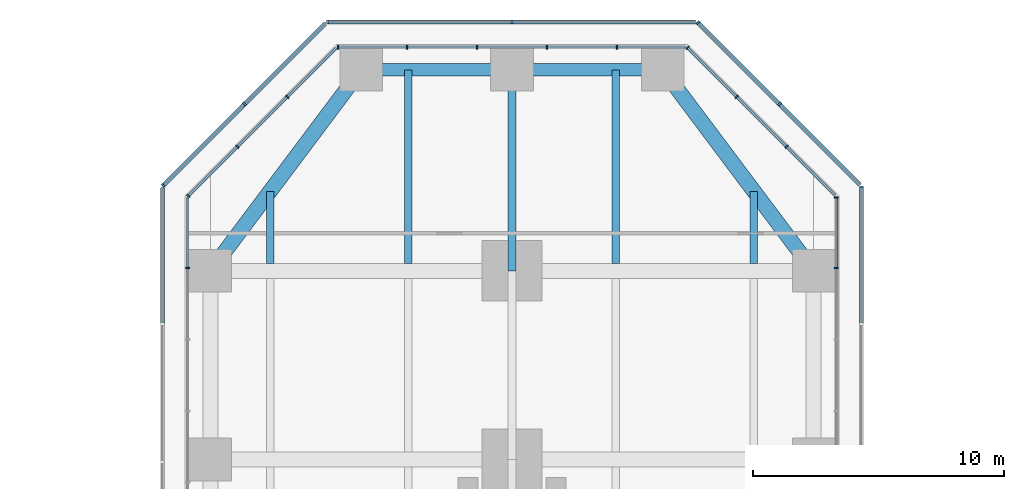
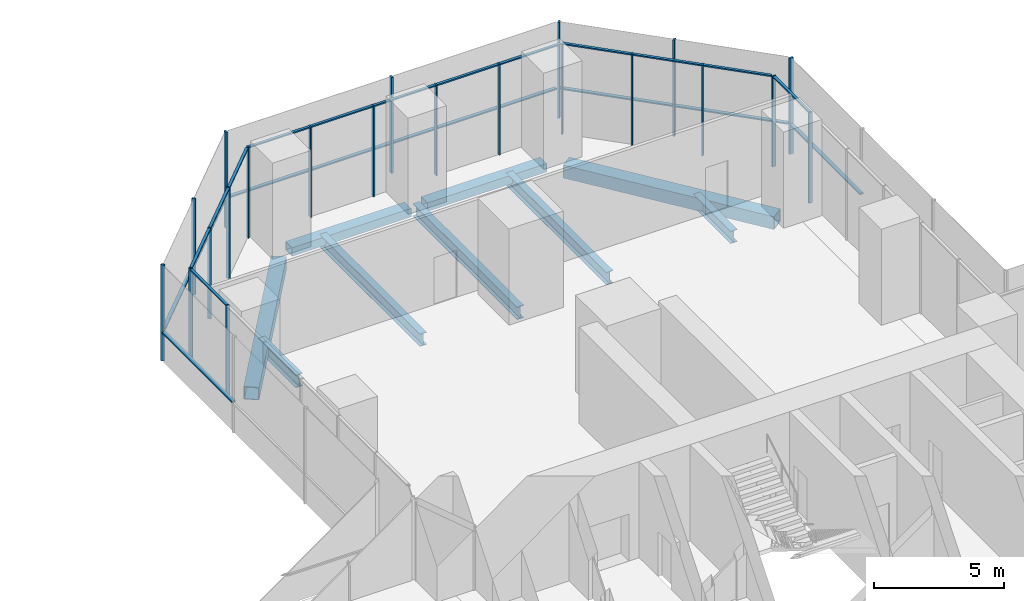
# One storey, part 12 of 21: 42 members, 9 beams, 10 elements without a shape of their own.
"""IFC4 building model written with IfcOpenShell, lengths in metres."""

from ifc_helpers import new_model, si_unit, direction, frame, origin, origin_2d, place, context, subcontext, project, spatial, rectangle, hollow_rectangle, i_section, extrude, material, material_profile, profile_set, type_object, element, aggregate, save


model = new_model("IFC4")

# Units and contexts
model_context = context("Model", 3, precision=1e-05, world=origin(), true_north=direction((0.0, 1.0)))
body_context = subcontext(model_context, "Body", "Model", "MODEL_VIEW")
ifc_project = project(units=[si_unit("LENGTHUNIT", "METRE"), si_unit("AREAUNIT", "SQUARE_METRE"), si_unit("VOLUMEUNIT", "CUBIC_METRE"), si_unit("PLANEANGLEUNIT", "RADIAN"), si_unit("MASSUNIT", "GRAM", prefix="KILO")], contexts=[model_context])

# Site, building, storey
site_placement = place(None, origin())
site = spatial("IfcSite", under=ifc_project, at=site_placement, CompositionType="ELEMENT")
building_placement = place(site_placement, origin())
building = spatial("IfcBuilding", under=site, at=building_placement, Name="Mizan Broadcast Tower", CompositionType="ELEMENT")
storey_placement = place(building_placement, frame((0.0, 0.0, 33.0)))
storey = spatial("IfcBuildingStorey", under=building, at=storey_placement, Name="L05", CompositionType="ELEMENT", Elevation=33.0)

# Beams
ifc_material_1 = material(Name="Steel S355", Category="steel")
ifc_material_profile_1 = material_profile(ifc_material_1, hollow_rectangle(XDim=0.5, YDim=0.39990234375, WallThickness=0.02490234375, at=origin_2d()), Name="BOX 400x500x25")
ifc_profile_set_1 = profile_set([ifc_material_profile_1], Name="Steel S355")
beam_type_1 = type_object("IfcBeamType", Name="EDGE BEAM BOX 400x500x25", PredefinedType="SPANDREL", material=ifc_profile_set_1)
for number, where, z_axis, x_axis, name in (
    (1, (5.639892578125, 35.0, -0.449951171875), (-1.0, 0.0, 0.0), (0.0, -1.0, 0.0), "Edge beam BOX 400x500x25 L05 north arm"),
    (2, (-5.639892578125, 35.0, -0.449951171875), (1.0, 0.0, 0.0), (0.0, 1.0, 0.0), "Edge beam BOX 400x500x25 L05 north arm"),
):
    element("IfcBeam", number, at=place(storey_placement, frame(where, z_axis=z_axis, x_axis=x_axis)), inside=storey, type_object=beam_type_1, Name=name, PredefinedType="SPANDREL", context=body_context, shape_type="SweptSolid", body=[
        extrude(hollow_rectangle(XDim=0.5, YDim=0.39990234375, WallThickness=0.02490234375, at=origin_2d()), origin(), (0.0, 0.0, 1.0), 5.27978515625),
    ])
ifc_material_2 = material(Name="Steel S355", Category="steel")
ifc_material_profile_2 = material_profile(ifc_material_2, hollow_rectangle(XDim=0.60009765625, YDim=0.60009765625, WallThickness=0.030029296875, at=origin_2d()), Name="BOX 600x600x30")
ifc_profile_set_2 = profile_set([ifc_material_profile_2], Name="Steel S355")
beam_type_2 = type_object("IfcBeamType", Name="EDGE BEAM BOX 600x600x30", PredefinedType="SPANDREL", material=ifc_profile_set_2)
for number, where, z_axis, x_axis, name in (
    (3, (11.639892578125, 27.47998046875, -0.550048828125), (-0.599982243973, 0.800013316712, 0.0), (-0.800013316712, -0.599982243973, 0.0), "Edge beam BOX 600x600x30 L05 north arm"),
    (4, (-11.639892578125, 27.47998046875, -0.550048828125), (0.599982243973, 0.800013316712, 0.0), (-0.800013316712, 0.599982243973, 0.0), "Edge beam BOX 600x600x30 L05 north arm"),
):
    element("IfcBeam", number, at=place(storey_placement, frame(where, z_axis=z_axis, x_axis=x_axis)), inside=storey, type_object=beam_type_2, Name=name, PredefinedType="SPANDREL", context=body_context, shape_type="SweptSolid", body=[
        extrude(hollow_rectangle(XDim=0.60009765625, YDim=0.60009765625, WallThickness=0.030029296875, at=origin_2d()), origin(), (0.0, 0.0, 1.0), 8.7998046875),
    ])

# Curtain wall, members
ifc_material_3 = material(Name="Aluminium framed glazing", Category="aluminium")
curtain_wall_type_1 = type_object("IfcCurtainWallType", Name="PODIUM CURTAIN WALL", PredefinedType="USERDEFINED", material=ifc_material_3)
curtain_wall_1_placement = place(storey_placement, origin())
curtain_wall_1 = element("IfcCurtainWall", 5, at=curtain_wall_1_placement, inside=storey, type_object=curtain_wall_type_1, Name="Podium curtain wall L05 N side", ObjectType="PODIUM CURTAIN WALL", PredefinedType="USERDEFINED")
ifc_material_4 = material(Name="Aluminium, pale anodised", Category="aluminium")
ifc_material_profile_3 = material_profile(ifc_material_4, rectangle(XDim=0.159912109375, YDim=0.06005859375, at=origin_2d()), Name="MULLION 160x60")
ifc_profile_set_3 = profile_set([ifc_material_profile_3], Name="Aluminium, pale anodised")
member_type_1 = type_object("IfcMemberType", Name="INNER SKIN MULLION 60x160", PredefinedType="MULLION", material=ifc_profile_set_3)
member_1_placement = place(storey_placement, frame((12.89990234375, 27.115478515625, 0.0), z_axis=(0.0, 0.0, 1.0), x_axis=(-1.0, 0.0, 0.0)))
member_1 = element("IfcMember", 6, at=member_1_placement, type_object=member_type_1, Name="Podium curtain wall L05 N side mullion 6", PredefinedType="MULLION", context=body_context, shape_type="SweptSolid", body=[
    extrude(rectangle(XDim=0.159912109375, YDim=0.06005859375, at=origin_2d()), origin(), (0.0, 0.0, 1.0), 4.25),
])
member_2_placement = place(storey_placement, frame((12.89990234375, 29.928466796875, 0.0), z_axis=(0.0, 0.0, 1.0), x_axis=(-1.0, 0.0, 0.0)))
member_2 = element("IfcMember", 7, at=member_2_placement, type_object=member_type_1, Name="Podium curtain wall L05 N side mullion 7", PredefinedType="MULLION", context=body_context, shape_type="SweptSolid", body=[
    extrude(rectangle(XDim=0.159912109375, YDim=0.06005859375, at=origin_2d()), origin(), (0.0, 0.0, 1.0), 4.25),
])

curtain_wall_2_placement = place(storey_placement, origin())
curtain_wall_2 = element("IfcCurtainWall", 8, at=curtain_wall_2_placement, inside=storey, type_object=curtain_wall_type_1, Name="Podium curtain wall L05 N chamfer", ObjectType="PODIUM CURTAIN WALL", PredefinedType="USERDEFINED")
member_3_placement = place(storey_placement, frame((10.91943359375, 31.93896484375, 0.0), z_axis=(0.0, 0.0, 1.0), x_axis=(-0.707106781187, -0.707106781187, 0.0)))
member_3 = element("IfcMember", 9, at=member_3_placement, type_object=member_type_1, Name="Podium curtain wall L05 N chamfer mullion 2", PredefinedType="MULLION", context=body_context, shape_type="SweptSolid", body=[
    extrude(rectangle(XDim=0.159912109375, YDim=0.06005859375, at=origin_2d()), origin(), (0.0, 0.0, 1.0), 4.25),
])
member_4_placement = place(storey_placement, frame((8.93896484375, 33.91943359375, 0.0), z_axis=(0.0, 0.0, 1.0), x_axis=(-0.707106781187, -0.707106781187, 0.0)))
member_4 = element("IfcMember", 10, at=member_4_placement, type_object=member_type_1, Name="Podium curtain wall L05 N chamfer mullion 3", PredefinedType="MULLION", context=body_context, shape_type="SweptSolid", body=[
    extrude(rectangle(XDim=0.159912109375, YDim=0.06005859375, at=origin_2d()), origin(), (0.0, 0.0, 1.0), 4.25),
])
member_5_placement = place(storey_placement, frame((6.979736328125, 35.87890625, 0.0), z_axis=(0.0, 0.0, 1.0), x_axis=(-0.707106781187, -0.707106781187, 0.0)))
member_5 = element("IfcMember", 11, at=member_5_placement, type_object=member_type_1, Name="Podium curtain wall L05 N chamfer mullion 4", PredefinedType="MULLION", context=body_context, shape_type="SweptSolid", body=[
    extrude(rectangle(XDim=0.159912109375, YDim=0.06005859375, at=origin_2d()), origin(), (0.0, 0.0, 1.0), 4.25),
])

curtain_wall_3_placement = place(storey_placement, origin())
curtain_wall_3 = element("IfcCurtainWall", 12, at=curtain_wall_3_placement, inside=storey, type_object=curtain_wall_type_1, Name="Podium curtain wall L05 N end", ObjectType="PODIUM CURTAIN WALL", PredefinedType="USERDEFINED")
member_6_placement = place(storey_placement, frame((4.175048828125, 35.89990234375, 0.0), z_axis=(0.0, 0.0, 1.0), x_axis=(0.0, -1.0, 0.0)))
member_6 = element("IfcMember", 13, at=member_6_placement, type_object=member_type_1, Name="Podium curtain wall L05 N end mullion 2", PredefinedType="MULLION", context=body_context, shape_type="SweptSolid", body=[
    extrude(rectangle(XDim=0.159912109375, YDim=0.06005859375, at=origin_2d()), origin(), (0.0, 0.0, 1.0), 4.25),
])
member_7_placement = place(storey_placement, frame((1.3916015625, 35.89990234375, 0.0), z_axis=(0.0, 0.0, 1.0), x_axis=(0.0, -1.0, 0.0)))
member_7 = element("IfcMember", 14, at=member_7_placement, type_object=member_type_1, Name="Podium curtain wall L05 N end mullion 3", PredefinedType="MULLION", context=body_context, shape_type="SweptSolid", body=[
    extrude(rectangle(XDim=0.159912109375, YDim=0.06005859375, at=origin_2d()), origin(), (0.0, 0.0, 1.0), 4.25),
])
member_8_placement = place(storey_placement, frame((-1.3916015625, 35.89990234375, 0.0), z_axis=(0.0, 0.0, 1.0), x_axis=(0.0, -1.0, 0.0)))
member_8 = element("IfcMember", 15, at=member_8_placement, type_object=member_type_1, Name="Podium curtain wall L05 N end mullion 4", PredefinedType="MULLION", context=body_context, shape_type="SweptSolid", body=[
    extrude(rectangle(XDim=0.159912109375, YDim=0.06005859375, at=origin_2d()), origin(), (0.0, 0.0, 1.0), 4.25),
])
member_9_placement = place(storey_placement, frame((-4.175048828125, 35.89990234375, 0.0), z_axis=(0.0, 0.0, 1.0), x_axis=(0.0, -1.0, 0.0)))
member_9 = element("IfcMember", 16, at=member_9_placement, type_object=member_type_1, Name="Podium curtain wall L05 N end mullion 5", PredefinedType="MULLION", context=body_context, shape_type="SweptSolid", body=[
    extrude(rectangle(XDim=0.159912109375, YDim=0.06005859375, at=origin_2d()), origin(), (0.0, 0.0, 1.0), 4.25),
])
member_10_placement = place(storey_placement, frame((-6.928466796875, 35.89990234375, 0.0), z_axis=(0.0, 0.0, 1.0), x_axis=(0.0, -1.0, 0.0)))
member_10 = element("IfcMember", 17, at=member_10_placement, type_object=member_type_1, Name="Podium curtain wall L05 N end mullion 6", PredefinedType="MULLION", context=body_context, shape_type="SweptSolid", body=[
    extrude(rectangle(XDim=0.159912109375, YDim=0.06005859375, at=origin_2d()), origin(), (0.0, 0.0, 1.0), 4.25),
])

curtain_wall_4_placement = place(storey_placement, origin())
curtain_wall_4 = element("IfcCurtainWall", 18, at=curtain_wall_4_placement, inside=storey, type_object=curtain_wall_type_1, Name="Podium curtain wall L05 N chamfer", ObjectType="PODIUM CURTAIN WALL", PredefinedType="USERDEFINED")
member_11_placement = place(storey_placement, frame((-8.93896484375, 33.91943359375, 0.0), z_axis=(0.0, 0.0, 1.0), x_axis=(0.707106781187, -0.707106781187, 0.0)))
member_11 = element("IfcMember", 19, at=member_11_placement, type_object=member_type_1, Name="Podium curtain wall L05 N chamfer mullion 2", PredefinedType="MULLION", context=body_context, shape_type="SweptSolid", body=[
    extrude(rectangle(XDim=0.159912109375, YDim=0.06005859375, at=origin_2d()), origin(), (0.0, 0.0, 1.0), 4.25),
])
member_12_placement = place(storey_placement, frame((-10.91943359375, 31.93896484375, 0.0), z_axis=(0.0, 0.0, 1.0), x_axis=(0.707106781187, -0.707106781187, 0.0)))
member_12 = element("IfcMember", 20, at=member_12_placement, type_object=member_type_1, Name="Podium curtain wall L05 N chamfer mullion 3", PredefinedType="MULLION", context=body_context, shape_type="SweptSolid", body=[
    extrude(rectangle(XDim=0.159912109375, YDim=0.06005859375, at=origin_2d()), origin(), (0.0, 0.0, 1.0), 4.25),
])
member_13_placement = place(storey_placement, frame((-12.87890625, 29.979736328125, 0.0), z_axis=(0.0, 0.0, 1.0), x_axis=(0.707106781187, -0.707106781187, 0.0)))
member_13 = element("IfcMember", 21, at=member_13_placement, type_object=member_type_1, Name="Podium curtain wall L05 N chamfer mullion 4", PredefinedType="MULLION", context=body_context, shape_type="SweptSolid", body=[
    extrude(rectangle(XDim=0.159912109375, YDim=0.06005859375, at=origin_2d()), origin(), (0.0, 0.0, 1.0), 4.25),
])

# Curtain wall, member
curtain_wall_5_placement = place(storey_placement, origin())
curtain_wall_5 = element("IfcCurtainWall", 22, at=curtain_wall_5_placement, inside=storey, type_object=curtain_wall_type_1, Name="Podium curtain wall L05 N side", ObjectType="PODIUM CURTAIN WALL", PredefinedType="USERDEFINED")
member_14_placement = place(storey_placement, frame((-12.89990234375, 27.115478515625, 0.0), z_axis=(0.0, 0.0, 1.0), x_axis=(1.0, 0.0, 0.0)))
member_14 = element("IfcMember", 23, at=member_14_placement, type_object=member_type_1, Name="Podium curtain wall L05 N side mullion 2", PredefinedType="MULLION", context=body_context, shape_type="SweptSolid", body=[
    extrude(rectangle(XDim=0.159912109375, YDim=0.06005859375, at=origin_2d()), origin(), (0.0, 0.0, 1.0), 4.25),
])

# Member
ifc_material_5 = material(Name="Aluminium, pale anodised", Category="aluminium")
ifc_material_profile_4 = material_profile(ifc_material_5, rectangle(XDim=0.1201171875, YDim=0.06005859375, at=origin_2d()), Name="TRANSOM 120x60")
ifc_profile_set_4 = profile_set([ifc_material_profile_4], Name="Aluminium, pale anodised")
member_type_2 = type_object("IfcMemberType", Name="INNER SKIN TRANSOM 60x120", PredefinedType="USERDEFINED", material=ifc_profile_set_4)
member_15_placement = place(storey_placement, frame((12.89990234375, 27.1455078125, 4.219970703125), z_axis=(0.0, 1.0, 0.0), x_axis=(-1.0, 0.0, 0.0)))
member_15 = element("IfcMember", 24, at=member_15_placement, type_object=member_type_2, Name="Podium curtain wall L05 N side transom 6.1", ObjectType="TRANSOM", PredefinedType="USERDEFINED", context=body_context, shape_type="SweptSolid", body=[
    extrude(rectangle(XDim=0.1201171875, YDim=0.06005859375, at=origin_2d()), origin(), (0.0, 0.0, 1.0), 2.753173828125),
])

aggregate(curtain_wall_1, [member_1, member_2, member_15])

member_16_placement = place(storey_placement, frame((12.857666015625, 30.0009765625, 4.219970703125), z_axis=(-0.707151809797, 0.707061749709, 0.0), x_axis=(-0.707061749709, -0.707151809797, 0.0)))
member_16 = element("IfcMember", 25, at=member_16_placement, type_object=member_type_2, Name="Podium curtain wall L05 N chamfer transom 1.1", ObjectType="TRANSOM", PredefinedType="USERDEFINED", context=body_context, shape_type="SweptSolid", body=[
    extrude(rectangle(XDim=0.1201171875, YDim=0.06005859375, at=origin_2d()), origin(), (0.0, 0.0, 1.0), 2.7109375),
])

member_17_placement = place(storey_placement, frame((10.898193359375, 31.960205078125, 4.219970703125), z_axis=(-0.707106781187, 0.707106781187, 0.0), x_axis=(-0.707106781187, -0.707106781187, 0.0)))
member_17 = element("IfcMember", 26, at=member_17_placement, type_object=member_type_2, Name="Podium curtain wall L05 N chamfer transom 2.1", ObjectType="TRANSOM", PredefinedType="USERDEFINED", context=body_context, shape_type="SweptSolid", body=[
    extrude(rectangle(XDim=0.1201171875, YDim=0.06005859375, at=origin_2d()), origin(), (0.0, 0.0, 1.0), 2.74072265625),
])

member_18_placement = place(storey_placement, frame((8.917724609375, 33.940673828125, 4.219970703125), z_axis=(-0.707061749709, 0.707151809797, 0.0), x_axis=(-0.707151809797, -0.707061749709, 0.0)))
member_18 = element("IfcMember", 27, at=member_18_placement, type_object=member_type_2, Name="Podium curtain wall L05 N chamfer transom 3.1", ObjectType="TRANSOM", PredefinedType="USERDEFINED", context=body_context, shape_type="SweptSolid", body=[
    extrude(rectangle(XDim=0.1201171875, YDim=0.06005859375, at=origin_2d()), origin(), (0.0, 0.0, 1.0), 2.7109375),
])

aggregate(curtain_wall_2, [member_3, member_4, member_5, member_16, member_17, member_18])

member_19_placement = place(storey_placement, frame((6.898681640625, 35.89990234375, 4.219970703125), z_axis=(-1.0, 0.0, 0.0), x_axis=(0.0, -1.0, 0.0)))
member_19 = element("IfcMember", 28, at=member_19_placement, type_object=member_type_2, Name="Podium curtain wall L05 N end transom 1.1", ObjectType="TRANSOM", PredefinedType="USERDEFINED", context=body_context, shape_type="SweptSolid", body=[
    extrude(rectangle(XDim=0.1201171875, YDim=0.06005859375, at=origin_2d()), origin(), (0.0, 0.0, 1.0), 2.693603515625),
])

member_20_placement = place(storey_placement, frame((4.145263671875, 35.89990234375, 4.219970703125), z_axis=(-1.0, 0.0, 0.0), x_axis=(0.0, -1.0, 0.0)))
member_20 = element("IfcMember", 29, at=member_20_placement, type_object=member_type_2, Name="Podium curtain wall L05 N end transom 2.1", ObjectType="TRANSOM", PredefinedType="USERDEFINED", context=body_context, shape_type="SweptSolid", body=[
    extrude(rectangle(XDim=0.1201171875, YDim=0.06005859375, at=origin_2d()), origin(), (0.0, 0.0, 1.0), 2.7236328125),
])

member_21_placement = place(storey_placement, frame((1.36181640625, 35.89990234375, 4.219970703125), z_axis=(-1.0, 0.0, 0.0), x_axis=(0.0, -1.0, 0.0)))
member_21 = element("IfcMember", 30, at=member_21_placement, type_object=member_type_2, Name="Podium curtain wall L05 N end transom 3.1", ObjectType="TRANSOM", PredefinedType="USERDEFINED", context=body_context, shape_type="SweptSolid", body=[
    extrude(rectangle(XDim=0.1201171875, YDim=0.06005859375, at=origin_2d()), origin(), (0.0, 0.0, 1.0), 2.7236328125),
])

member_22_placement = place(storey_placement, frame((-1.421630859375, 35.89990234375, 4.219970703125), z_axis=(-1.0, 0.0, 0.0), x_axis=(0.0, -1.0, 0.0)))
member_22 = element("IfcMember", 31, at=member_22_placement, type_object=member_type_2, Name="Podium curtain wall L05 N end transom 4.1", ObjectType="TRANSOM", PredefinedType="USERDEFINED", context=body_context, shape_type="SweptSolid", body=[
    extrude(rectangle(XDim=0.1201171875, YDim=0.06005859375, at=origin_2d()), origin(), (0.0, 0.0, 1.0), 2.7236328125),
])

member_23_placement = place(storey_placement, frame((-4.205078125, 35.89990234375, 4.219970703125), z_axis=(-1.0, 0.0, 0.0), x_axis=(0.0, -1.0, 0.0)))
member_23 = element("IfcMember", 32, at=member_23_placement, type_object=member_type_2, Name="Podium curtain wall L05 N end transom 5.1", ObjectType="TRANSOM", PredefinedType="USERDEFINED", context=body_context, shape_type="SweptSolid", body=[
    extrude(rectangle(XDim=0.1201171875, YDim=0.06005859375, at=origin_2d()), origin(), (0.0, 0.0, 1.0), 2.693603515625),
])

aggregate(curtain_wall_3, [member_6, member_7, member_8, member_9, member_10, member_19, member_20, member_21, member_22, member_23])

member_24_placement = place(storey_placement, frame((-7.0009765625, 35.857666015625, 4.219970703125), z_axis=(-0.707061749709, -0.707151809797, 0.0), x_axis=(0.707151809797, -0.707061749709, 0.0)))
member_24 = element("IfcMember", 33, at=member_24_placement, type_object=member_type_2, Name="Podium curtain wall L05 N chamfer transom 1.1", ObjectType="TRANSOM", PredefinedType="USERDEFINED", context=body_context, shape_type="SweptSolid", body=[
    extrude(rectangle(XDim=0.1201171875, YDim=0.06005859375, at=origin_2d()), origin(), (0.0, 0.0, 1.0), 2.7109375),
])

member_25_placement = place(storey_placement, frame((-8.960205078125, 33.898193359375, 4.219970703125), z_axis=(-0.707106781187, -0.707106781187, 0.0), x_axis=(0.707106781187, -0.707106781187, 0.0)))
member_25 = element("IfcMember", 34, at=member_25_placement, type_object=member_type_2, Name="Podium curtain wall L05 N chamfer transom 2.1", ObjectType="TRANSOM", PredefinedType="USERDEFINED", context=body_context, shape_type="SweptSolid", body=[
    extrude(rectangle(XDim=0.1201171875, YDim=0.06005859375, at=origin_2d()), origin(), (0.0, 0.0, 1.0), 2.74072265625),
])

member_26_placement = place(storey_placement, frame((-10.940673828125, 31.917724609375, 4.219970703125), z_axis=(-0.707151809797, -0.707061749709, 0.0), x_axis=(0.707061749709, -0.707151809797, 0.0)))
member_26 = element("IfcMember", 35, at=member_26_placement, type_object=member_type_2, Name="Podium curtain wall L05 N chamfer transom 3.1", ObjectType="TRANSOM", PredefinedType="USERDEFINED", context=body_context, shape_type="SweptSolid", body=[
    extrude(rectangle(XDim=0.1201171875, YDim=0.06005859375, at=origin_2d()), origin(), (0.0, 0.0, 1.0), 2.7109375),
])

aggregate(curtain_wall_4, [member_11, member_12, member_13, member_24, member_25, member_26])

member_27_placement = place(storey_placement, frame((-12.89990234375, 29.898681640625, 4.219970703125), z_axis=(0.0, -1.0, 0.0), x_axis=(1.0, 0.0, 0.0)))
member_27 = element("IfcMember", 36, at=member_27_placement, type_object=member_type_2, Name="Podium curtain wall L05 N side transom 1.1", ObjectType="TRANSOM", PredefinedType="USERDEFINED", context=body_context, shape_type="SweptSolid", body=[
    extrude(rectangle(XDim=0.1201171875, YDim=0.06005859375, at=origin_2d()), origin(), (0.0, 0.0, 1.0), 2.753173828125),
])

aggregate(curtain_wall_5, [member_14, member_27])

# Curtain wall, member
ifc_material_6 = material(Name="Aluminium framed glazing", Category="aluminium")
curtain_wall_type_2 = type_object("IfcCurtainWallType", Name="OUTER SKIN", PredefinedType="USERDEFINED", material=ifc_material_6)
curtain_wall_6_placement = place(storey_placement, origin())
curtain_wall_6 = element("IfcCurtainWall", 37, at=curtain_wall_6_placement, inside=storey, type_object=curtain_wall_type_2, Name="Outer skin L05 N side", ObjectType="OUTER SKIN", PredefinedType="USERDEFINED")
ifc_material_7 = material(Name="Aluminium, pale anodised", Category="aluminium")
ifc_material_profile_5 = material_profile(ifc_material_7, rectangle(XDim=0.159912109375, YDim=0.080078125, at=origin_2d()), Name="MULLION 160x80")
ifc_profile_set_5 = profile_set([ifc_material_profile_5], Name="Aluminium, pale anodised")
member_type_3 = type_object("IfcMemberType", Name="OUTER SKIN MULLION 80x160", PredefinedType="MULLION", material=ifc_profile_set_5)
member_28_placement = place(storey_placement, frame((13.89990234375, 30.332763671875, 0.0), z_axis=(0.0, 0.0, 1.0), x_axis=(-1.0, 0.0, 0.0)))
member_28 = element("IfcMember", 38, at=member_28_placement, type_object=member_type_3, Name="Outer skin L05 N side mullion 4", PredefinedType="MULLION", context=body_context, shape_type="SweptSolid", body=[
    extrude(rectangle(XDim=0.159912109375, YDim=0.080078125, at=origin_2d()), origin(), (0.0, 0.0, 1.0), 4.5),
])

# Curtain wall, members
curtain_wall_7_placement = place(storey_placement, origin())
curtain_wall_7 = element("IfcCurtainWall", 39, at=curtain_wall_7_placement, inside=storey, type_object=curtain_wall_type_2, Name="Outer skin L05 N chamfer", ObjectType="OUTER SKIN", PredefinedType="USERDEFINED")
member_29_placement = place(storey_placement, frame((10.636474609375, 33.636474609375, 0.0), z_axis=(0.0, 0.0, 1.0), x_axis=(-0.707106781187, -0.707106781187, 0.0)))
member_29 = element("IfcMember", 40, at=member_29_placement, type_object=member_type_3, Name="Outer skin L05 N chamfer mullion 2", PredefinedType="MULLION", context=body_context, shape_type="SweptSolid", body=[
    extrude(rectangle(XDim=0.159912109375, YDim=0.080078125, at=origin_2d()), origin(), (0.0, 0.0, 1.0), 4.5),
])
member_30_placement = place(storey_placement, frame((7.401123046875, 36.871826171875, 0.0), z_axis=(0.0, 0.0, 1.0), x_axis=(-0.707106781187, -0.707106781187, 0.0)))
member_30 = element("IfcMember", 41, at=member_30_placement, type_object=member_type_3, Name="Outer skin L05 N chamfer mullion 3", PredefinedType="MULLION", context=body_context, shape_type="SweptSolid", body=[
    extrude(rectangle(XDim=0.159912109375, YDim=0.080078125, at=origin_2d()), origin(), (0.0, 0.0, 1.0), 4.5),
])

curtain_wall_8_placement = place(storey_placement, origin())
curtain_wall_8 = element("IfcCurtainWall", 42, at=curtain_wall_8_placement, inside=storey, type_object=curtain_wall_type_2, Name="Outer skin L05 N end", ObjectType="OUTER SKIN", PredefinedType="USERDEFINED")
member_31_placement = place(storey_placement, frame((0.0, 36.89990234375, 0.0), z_axis=(0.0, 0.0, 1.0), x_axis=(0.0, -1.0, 0.0)))
member_31 = element("IfcMember", 43, at=member_31_placement, type_object=member_type_3, Name="Outer skin L05 N end mullion 2", PredefinedType="MULLION", context=body_context, shape_type="SweptSolid", body=[
    extrude(rectangle(XDim=0.159912109375, YDim=0.080078125, at=origin_2d()), origin(), (0.0, 0.0, 1.0), 4.5),
])
member_32_placement = place(storey_placement, frame((-7.332763671875, 36.89990234375, 0.0), z_axis=(0.0, 0.0, 1.0), x_axis=(0.0, -1.0, 0.0)))
member_32 = element("IfcMember", 44, at=member_32_placement, type_object=member_type_3, Name="Outer skin L05 N end mullion 3", PredefinedType="MULLION", context=body_context, shape_type="SweptSolid", body=[
    extrude(rectangle(XDim=0.159912109375, YDim=0.080078125, at=origin_2d()), origin(), (0.0, 0.0, 1.0), 4.5),
])

curtain_wall_9_placement = place(storey_placement, origin())
curtain_wall_9 = element("IfcCurtainWall", 45, at=curtain_wall_9_placement, inside=storey, type_object=curtain_wall_type_2, Name="Outer skin L05 N chamfer", ObjectType="OUTER SKIN", PredefinedType="USERDEFINED")
member_33_placement = place(storey_placement, frame((-10.636474609375, 33.636474609375, 0.0), z_axis=(0.0, 0.0, 1.0), x_axis=(0.707106781187, -0.707106781187, 0.0)))
member_33 = element("IfcMember", 46, at=member_33_placement, type_object=member_type_3, Name="Outer skin L05 N chamfer mullion 2", PredefinedType="MULLION", context=body_context, shape_type="SweptSolid", body=[
    extrude(rectangle(XDim=0.159912109375, YDim=0.080078125, at=origin_2d()), origin(), (0.0, 0.0, 1.0), 4.5),
])
member_34_placement = place(storey_placement, frame((-13.871826171875, 30.401123046875, 0.0), z_axis=(0.0, 0.0, 1.0), x_axis=(0.707106781187, -0.707106781187, 0.0)))
member_34 = element("IfcMember", 47, at=member_34_placement, type_object=member_type_3, Name="Outer skin L05 N chamfer mullion 3", PredefinedType="MULLION", context=body_context, shape_type="SweptSolid", body=[
    extrude(rectangle(XDim=0.159912109375, YDim=0.080078125, at=origin_2d()), origin(), (0.0, 0.0, 1.0), 4.5),
])

# Member
ifc_material_8 = material(Name="Aluminium, pale anodised", Category="aluminium")
ifc_material_profile_6 = material_profile(ifc_material_8, rectangle(XDim=0.159912109375, YDim=0.06005859375, at=origin_2d()), Name="TRANSOM 160x60")
ifc_profile_set_6 = profile_set([ifc_material_profile_6], Name="Aluminium, pale anodised")
member_type_4 = type_object("IfcMemberType", Name="OUTER SKIN TRANSOM 60x160", PredefinedType="USERDEFINED", material=ifc_profile_set_6)
member_35_placement = place(storey_placement, frame((13.89990234375, 24.921875, 1.39990234375), z_axis=(0.0, 1.0, 0.0), x_axis=(-1.0, 0.0, 0.0)))
member_35 = element("IfcMember", 48, at=member_35_placement, type_object=member_type_4, Name="Outer skin L05 N side transom 3.1", ObjectType="TRANSOM", PredefinedType="USERDEFINED", context=body_context, shape_type="SweptSolid", body=[
    extrude(rectangle(XDim=0.159912109375, YDim=0.06005859375, at=origin_2d()), origin(), (0.0, 0.0, 1.0), 5.370849609375),
])

aggregate(curtain_wall_6, [member_28, member_35])

member_36_placement = place(storey_placement, frame((13.843505859375, 30.429443359375, 1.39990234375), z_axis=(-0.707106781187, 0.707106781187, 0.0), x_axis=(-0.707106781187, -0.707106781187, 0.0)))
member_36 = element("IfcMember", 49, at=member_36_placement, type_object=member_type_4, Name="Outer skin L05 N chamfer transom 1.1", ObjectType="TRANSOM", PredefinedType="USERDEFINED", context=body_context, shape_type="SweptSolid", body=[
    extrude(rectangle(XDim=0.159912109375, YDim=0.06005859375, at=origin_2d()), origin(), (0.0, 0.0, 1.0), 4.495361328125),
])

member_37_placement = place(storey_placement, frame((10.608154296875, 33.664794921875, 1.39990234375), z_axis=(-0.707106781187, 0.707106781187, 0.0), x_axis=(-0.707106781187, -0.707106781187, 0.0)))
member_37 = element("IfcMember", 50, at=member_37_placement, type_object=member_type_4, Name="Outer skin L05 N chamfer transom 2.1", ObjectType="TRANSOM", PredefinedType="USERDEFINED", context=body_context, shape_type="SweptSolid", body=[
    extrude(rectangle(XDim=0.159912109375, YDim=0.06005859375, at=origin_2d()), origin(), (0.0, 0.0, 1.0), 4.495361328125),
])

aggregate(curtain_wall_7, [member_29, member_30, member_36, member_37])

member_38_placement = place(storey_placement, frame((7.292724609375, 36.89990234375, 1.39990234375), z_axis=(-1.0, 0.0, 0.0), x_axis=(0.0, -1.0, 0.0)))
member_38 = element("IfcMember", 51, at=member_38_placement, type_object=member_type_4, Name="Outer skin L05 N end transom 1.1", ObjectType="TRANSOM", PredefinedType="USERDEFINED", context=body_context, shape_type="SweptSolid", body=[
    extrude(rectangle(XDim=0.159912109375, YDim=0.06005859375, at=origin_2d()), origin(), (0.0, 0.0, 1.0), 7.252685546875),
])

member_39_placement = place(storey_placement, frame((-0.0400390625, 36.89990234375, 1.39990234375), z_axis=(-1.0, 0.0, 0.0), x_axis=(0.0, -1.0, 0.0)))
member_39 = element("IfcMember", 52, at=member_39_placement, type_object=member_type_4, Name="Outer skin L05 N end transom 2.1", ObjectType="TRANSOM", PredefinedType="USERDEFINED", context=body_context, shape_type="SweptSolid", body=[
    extrude(rectangle(XDim=0.159912109375, YDim=0.06005859375, at=origin_2d()), origin(), (0.0, 0.0, 1.0), 7.252685546875),
])

aggregate(curtain_wall_8, [member_31, member_32, member_38, member_39])

member_40_placement = place(storey_placement, frame((-7.429443359375, 36.843505859375, 1.39990234375), z_axis=(-0.707106781187, -0.707106781187, 0.0), x_axis=(0.707106781187, -0.707106781187, 0.0)))
member_40 = element("IfcMember", 53, at=member_40_placement, type_object=member_type_4, Name="Outer skin L05 N chamfer transom 1.1", ObjectType="TRANSOM", PredefinedType="USERDEFINED", context=body_context, shape_type="SweptSolid", body=[
    extrude(rectangle(XDim=0.159912109375, YDim=0.06005859375, at=origin_2d()), origin(), (0.0, 0.0, 1.0), 4.495361328125),
])

member_41_placement = place(storey_placement, frame((-10.664794921875, 33.608154296875, 1.39990234375), z_axis=(-0.707106781187, -0.707106781187, 0.0), x_axis=(0.707106781187, -0.707106781187, 0.0)))
member_41 = element("IfcMember", 54, at=member_41_placement, type_object=member_type_4, Name="Outer skin L05 N chamfer transom 2.1", ObjectType="TRANSOM", PredefinedType="USERDEFINED", context=body_context, shape_type="SweptSolid", body=[
    extrude(rectangle(XDim=0.159912109375, YDim=0.06005859375, at=origin_2d()), origin(), (0.0, 0.0, 1.0), 4.495361328125),
])

aggregate(curtain_wall_9, [member_33, member_34, member_40, member_41])

# Curtain wall, member
curtain_wall_10_placement = place(storey_placement, origin())
curtain_wall_10 = element("IfcCurtainWall", 55, at=curtain_wall_10_placement, inside=storey, type_object=curtain_wall_type_2, Name="Outer skin L05 N side", ObjectType="OUTER SKIN", PredefinedType="USERDEFINED")
member_42_placement = place(storey_placement, frame((-13.89990234375, 30.292724609375, 1.39990234375), z_axis=(0.0, -1.0, 0.0), x_axis=(1.0, 0.0, 0.0)))
member_42 = element("IfcMember", 56, at=member_42_placement, type_object=member_type_4, Name="Outer skin L05 N side transom 1.1", ObjectType="TRANSOM", PredefinedType="USERDEFINED", context=body_context, shape_type="SweptSolid", body=[
    extrude(rectangle(XDim=0.159912109375, YDim=0.06005859375, at=origin_2d()), origin(), (0.0, 0.0, 1.0), 5.370849609375),
])
aggregate(curtain_wall_10, [member_42])

# Beams
ifc_material_9 = material(Name="Steel S355", Category="steel")
ifc_material_profile_7 = material_profile(ifc_material_9, i_section(OverallWidth=0.300048828125, OverallDepth=0.590087890625, WebThickness=0.012939453125, FlangeThickness=0.02490234375, FilletRadius=0.027099609375, at=origin_2d()), Name="HEA 600")
ifc_profile_set_7 = profile_set([ifc_material_profile_7], Name="Steel S355")
beam_type_3 = type_object("IfcBeamType", Name="SECONDARY BEAM HEA 600", PredefinedType="JOIST", material=ifc_profile_set_7)
beam_1_placement = place(storey_placement, frame((9.625, 27.300048828125, -0.544921875), z_axis=(0.0, 1.0, 0.0), x_axis=(-1.0, 0.0, 0.0)))
element("IfcBeam", 57, at=beam_1_placement, inside=storey, type_object=beam_type_3, Name="Secondary beam HEA 600 L05 north arm", PredefinedType="JOIST", context=body_context, shape_type="SweptSolid", body=[
    extrude(i_section(OverallWidth=0.300048828125, OverallDepth=0.590087890625, WebThickness=0.012939453125, FlangeThickness=0.02490234375, FilletRadius=0.027099609375, at=origin_2d()), origin(), (0.0, 0.0, 1.0), 2.86669921875),
])
beam_2_placement = place(storey_placement, frame((4.125, 27.300048828125, -0.544921875), z_axis=(0.0, 1.0, 0.0), x_axis=(-1.0, 0.0, 0.0)))
element("IfcBeam", 58, at=beam_2_placement, inside=storey, type_object=beam_type_3, Name="Secondary beam HEA 600 L05 north arm", PredefinedType="JOIST", context=body_context, shape_type="SweptSolid", body=[
    extrude(i_section(OverallWidth=0.300048828125, OverallDepth=0.590087890625, WebThickness=0.012939453125, FlangeThickness=0.02490234375, FilletRadius=0.027099609375, at=origin_2d()), origin(), (0.0, 0.0, 1.0), 7.699951171875),
])
beam_3_placement = place(storey_placement, frame((0.0, 27.0, -0.544921875), z_axis=(0.0, 1.0, 0.0), x_axis=(-1.0, 0.0, 0.0)))
element("IfcBeam", 59, at=beam_3_placement, inside=storey, type_object=beam_type_3, Name="Secondary beam HEA 600 L05 north arm", PredefinedType="JOIST", context=body_context, shape_type="SweptSolid", body=[
    extrude(i_section(OverallWidth=0.300048828125, OverallDepth=0.590087890625, WebThickness=0.012939453125, FlangeThickness=0.02490234375, FilletRadius=0.027099609375, at=origin_2d()), origin(), (0.0, 0.0, 1.0), 8.0),
])
beam_4_placement = place(storey_placement, frame((-4.125, 27.300048828125, -0.544921875), z_axis=(0.0, 1.0, 0.0), x_axis=(-1.0, 0.0, 0.0)))
element("IfcBeam", 60, at=beam_4_placement, inside=storey, type_object=beam_type_3, Name="Secondary beam HEA 600 L05 north arm", PredefinedType="JOIST", context=body_context, shape_type="SweptSolid", body=[
    extrude(i_section(OverallWidth=0.300048828125, OverallDepth=0.590087890625, WebThickness=0.012939453125, FlangeThickness=0.02490234375, FilletRadius=0.027099609375, at=origin_2d()), origin(), (0.0, 0.0, 1.0), 7.699951171875),
])
beam_5_placement = place(storey_placement, frame((-9.625, 27.300048828125, -0.544921875), z_axis=(0.0, 1.0, 0.0), x_axis=(-1.0, 0.0, 0.0)))
element("IfcBeam", 61, at=beam_5_placement, inside=storey, type_object=beam_type_3, Name="Secondary beam HEA 600 L05 north arm", PredefinedType="JOIST", context=body_context, shape_type="SweptSolid", body=[
    extrude(i_section(OverallWidth=0.300048828125, OverallDepth=0.590087890625, WebThickness=0.012939453125, FlangeThickness=0.02490234375, FilletRadius=0.027099609375, at=origin_2d()), origin(), (0.0, 0.0, 1.0), 2.86669921875),
])

save(model, "model.ifc")
